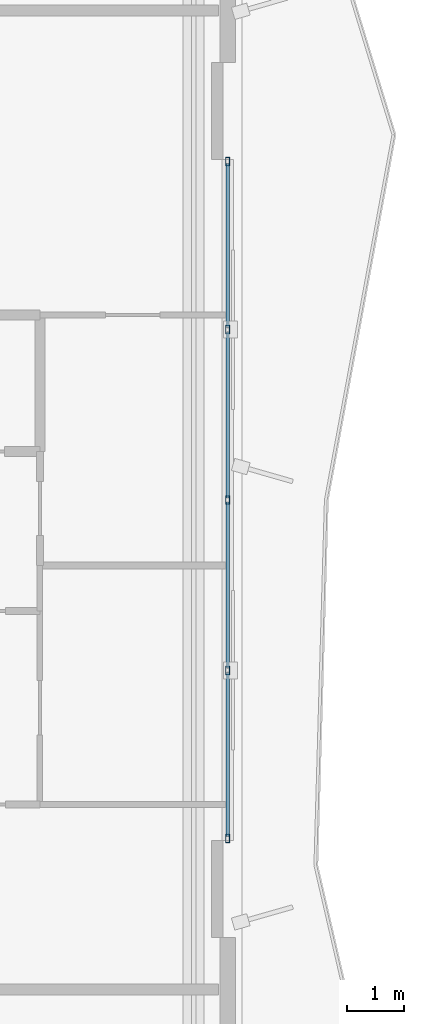
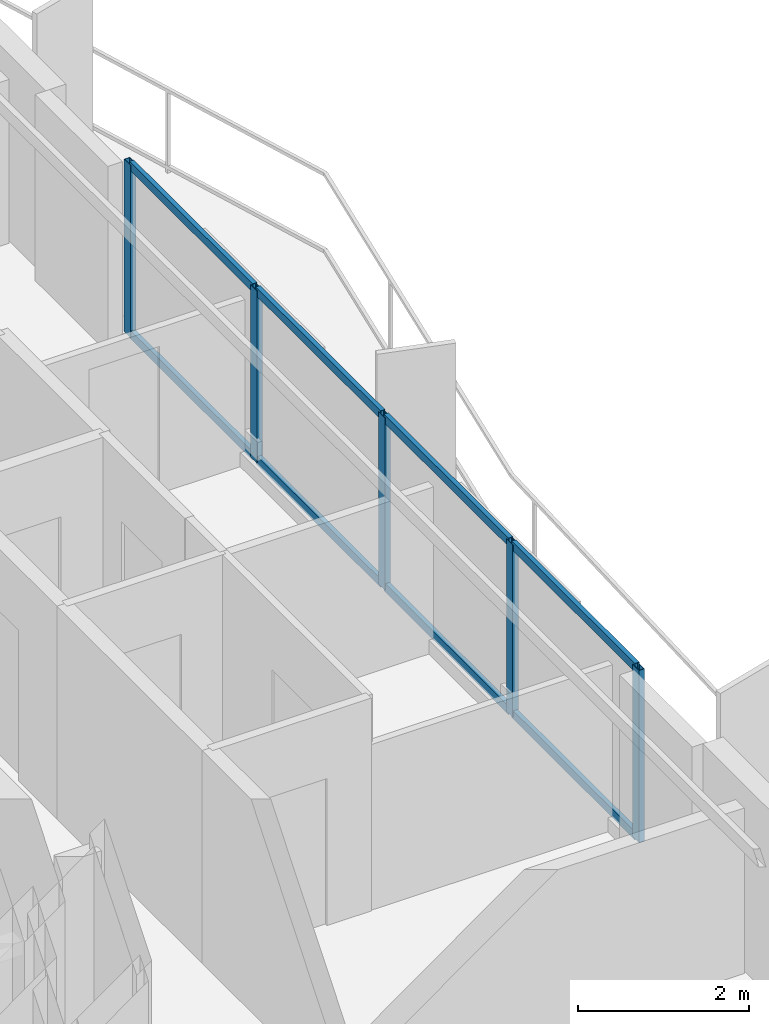
# One storey, part 6 of 18: 13 members, 1 element without a shape of its own.
"""IFC4 building model written with IfcOpenShell, lengths in metres."""

from ifc_helpers import new_model, si_unit, direction, frame, origin, origin_2d, place, context, subcontext, project, spatial, hollow_rectangle, extrude, material, layer, layer_set, material_profile, profile_set, type_object, element, aggregate, save


model = new_model("IFC4")

# Units and contexts
model_context = context("Model", 3, precision=1e-05, world=origin(), true_north=direction((0.0, 1.0)))
body_context = subcontext(model_context, "Body", "Model", "MODEL_VIEW")
ifc_project = project(units=[si_unit("LENGTHUNIT", "METRE"), si_unit("AREAUNIT", "SQUARE_METRE"), si_unit("VOLUMEUNIT", "CUBIC_METRE"), si_unit("PLANEANGLEUNIT", "RADIAN"), si_unit("MASSUNIT", "GRAM", prefix="KILO")], contexts=[model_context])

# Site, building, storey
site_placement = place(None, origin())
site = spatial("IfcSite", under=ifc_project, at=site_placement, CompositionType="ELEMENT")
building_placement = place(site_placement, origin())
building = spatial("IfcBuilding", under=site, at=building_placement, Name="Mersakhor Tower and Convention Hall", CompositionType="ELEMENT")
storey_placement = place(building_placement, frame((0.0, 0.0, 32.39990234375)))
storey = spatial("IfcBuildingStorey", under=building, at=storey_placement, Name="L08", CompositionType="ELEMENT", Elevation=32.39990234375)

# Curtain wall, members
ifc_material_1 = material(Name="Dark solar low-E aluminium curtain wall", Category="aluminium")
ifc_layer = layer(ifc_material_1, 0.159912109375)
ifc_layer_set = layer_set([ifc_layer], Name="Dark solar low-E aluminium curtain wall")
curtain_wall_type = type_object("IfcCurtainWallType", Name="CW-SYS-01", PredefinedType="USERDEFINED", material=ifc_layer_set)
curtain_wall_placement = place(storey_placement, origin())
curtain_wall = element("IfcCurtainWall", 1, at=curtain_wall_placement, inside=storey, type_object=curtain_wall_type, Name="L08 Dark-Glass Curtain Wall F2-B2", ObjectType="CURTAIN WALL", PredefinedType="USERDEFINED")
ifc_material_2 = material(Name="Anodised aluminium EN AW-6063 T6", Category="aluminium")
ifc_material_profile_1 = material_profile(ifc_material_2, hollow_rectangle(XDim=0.074951171875, YDim=0.14990234375, WallThickness=0.00634765625, at=origin_2d()), Name="RHS 150x75x6.3")
ifc_profile_set_1 = profile_set([ifc_material_profile_1], Name="Anodised aluminium EN AW-6063 T6")
member_type_1 = type_object("IfcMemberType", Name="CWM-150x75", PredefinedType="MULLION", material=ifc_profile_set_1)
member_1_placement = place(storey_placement, frame((43.85009765625, 32.69921875, 0.2001953125), z_axis=(0.0, 0.0, 1.0), x_axis=(1.0, 0.0, 0.0)))
member_1 = element("IfcMember", 2, at=member_1_placement, type_object=member_type_1, Name="CW-01 mullion 1", PredefinedType="MULLION", context=body_context, shape_type="SweptSolid", body=[
    extrude(hollow_rectangle(XDim=0.074951171875, YDim=0.14990234375, WallThickness=0.00634765625, at=origin_2d()), origin(), (0.0, 0.0, 1.0), 2.4599609375),
])
member_2_placement = place(storey_placement, frame((43.85009765625, 29.743408203125, 0.2001953125), z_axis=(0.0, 0.0, 1.0), x_axis=(1.0, 0.0, 0.0)))
member_2 = element("IfcMember", 3, at=member_2_placement, type_object=member_type_1, Name="CW-01 mullion 2", PredefinedType="MULLION", context=body_context, shape_type="SweptSolid", body=[
    extrude(hollow_rectangle(XDim=0.074951171875, YDim=0.14990234375, WallThickness=0.00634765625, at=origin_2d()), origin(), (0.0, 0.0, 1.0), 2.4599609375),
])
member_3_placement = place(storey_placement, frame((43.85009765625, 26.75, 0.2001953125), z_axis=(0.0, 0.0, 1.0), x_axis=(1.0, 0.0, 0.0)))
member_3 = element("IfcMember", 4, at=member_3_placement, type_object=member_type_1, Name="CW-01 mullion 3", PredefinedType="MULLION", context=body_context, shape_type="SweptSolid", body=[
    extrude(hollow_rectangle(XDim=0.074951171875, YDim=0.14990234375, WallThickness=0.00634765625, at=origin_2d()), origin(), (0.0, 0.0, 1.0), 2.4599609375),
])
member_4_placement = place(storey_placement, frame((43.85009765625, 23.756591796875, 0.2001953125), z_axis=(0.0, 0.0, 1.0), x_axis=(1.0, 0.0, 0.0)))
member_4 = element("IfcMember", 5, at=member_4_placement, type_object=member_type_1, Name="CW-01 mullion 4", PredefinedType="MULLION", context=body_context, shape_type="SweptSolid", body=[
    extrude(hollow_rectangle(XDim=0.074951171875, YDim=0.14990234375, WallThickness=0.00634765625, at=origin_2d()), origin(), (0.0, 0.0, 1.0), 2.4599609375),
])
member_5_placement = place(storey_placement, frame((43.85009765625, 20.80078125, 0.2001953125), z_axis=(0.0, 0.0, 1.0), x_axis=(1.0, 0.0, 0.0)))
member_5 = element("IfcMember", 6, at=member_5_placement, type_object=member_type_1, Name="CW-01 mullion 5", PredefinedType="MULLION", context=body_context, shape_type="SweptSolid", body=[
    extrude(hollow_rectangle(XDim=0.074951171875, YDim=0.14990234375, WallThickness=0.00634765625, at=origin_2d()), origin(), (0.0, 0.0, 1.0), 2.4599609375),
])
ifc_material_3 = material(Name="Anodised aluminium EN AW-6063 T6", Category="aluminium")
ifc_material_profile_2 = material_profile(ifc_material_3, hollow_rectangle(XDim=0.06005859375, YDim=0.1201171875, WallThickness=0.0048828125, at=origin_2d()), Name="RHS 120x60x5")
ifc_profile_set_2 = profile_set([ifc_material_profile_2], Name="Anodised aluminium EN AW-6063 T6")
member_type_2 = type_object("IfcMemberType", Name="CWT-120x60", PredefinedType="USERDEFINED", material=ifc_profile_set_2)
member_6_placement = place(storey_placement, frame((43.85009765625, 32.66162109375, 0.22998046875), z_axis=(0.0, -1.0, 0.0), x_axis=(1.0, 0.0, 0.0)))
member_6 = element("IfcMember", 7, at=member_6_placement, type_object=member_type_2, Name="CW-01 transom 1.1", ObjectType="TRANSOM", PredefinedType="USERDEFINED", context=body_context, shape_type="SweptSolid", body=[
    extrude(hollow_rectangle(XDim=0.06005859375, YDim=0.1201171875, WallThickness=0.0048828125, at=origin_2d()), origin(), (0.0, 0.0, 1.0), 2.880859375),
])
member_7_placement = place(storey_placement, frame((43.85009765625, 32.66162109375, 2.630126953125), z_axis=(0.0, -1.0, 0.0), x_axis=(1.0, 0.0, 0.0)))
member_7 = element("IfcMember", 8, at=member_7_placement, type_object=member_type_2, Name="CW-01 transom 1.2", ObjectType="TRANSOM", PredefinedType="USERDEFINED", context=body_context, shape_type="SweptSolid", body=[
    extrude(hollow_rectangle(XDim=0.06005859375, YDim=0.1201171875, WallThickness=0.0048828125, at=origin_2d()), origin(), (0.0, 0.0, 1.0), 2.880859375),
])
member_8_placement = place(storey_placement, frame((43.85009765625, 29.705810546875, 0.22998046875), z_axis=(0.0, -1.0, 0.0), x_axis=(1.0, 0.0, 0.0)))
member_8 = element("IfcMember", 9, at=member_8_placement, type_object=member_type_2, Name="CW-01 transom 2.1", ObjectType="TRANSOM", PredefinedType="USERDEFINED", context=body_context, shape_type="SweptSolid", body=[
    extrude(hollow_rectangle(XDim=0.06005859375, YDim=0.1201171875, WallThickness=0.0048828125, at=origin_2d()), origin(), (0.0, 0.0, 1.0), 2.918212890625),
])
member_9_placement = place(storey_placement, frame((43.85009765625, 29.705810546875, 2.630126953125), z_axis=(0.0, -1.0, 0.0), x_axis=(1.0, 0.0, 0.0)))
member_9 = element("IfcMember", 10, at=member_9_placement, type_object=member_type_2, Name="CW-01 transom 2.2", ObjectType="TRANSOM", PredefinedType="USERDEFINED", context=body_context, shape_type="SweptSolid", body=[
    extrude(hollow_rectangle(XDim=0.06005859375, YDim=0.1201171875, WallThickness=0.0048828125, at=origin_2d()), origin(), (0.0, 0.0, 1.0), 2.918212890625),
])
member_10_placement = place(storey_placement, frame((43.85009765625, 26.71240234375, 0.22998046875), z_axis=(0.0, -1.0, 0.0), x_axis=(1.0, 0.0, 0.0)))
member_10 = element("IfcMember", 11, at=member_10_placement, type_object=member_type_2, Name="CW-01 transom 3.1", ObjectType="TRANSOM", PredefinedType="USERDEFINED", context=body_context, shape_type="SweptSolid", body=[
    extrude(hollow_rectangle(XDim=0.06005859375, YDim=0.1201171875, WallThickness=0.0048828125, at=origin_2d()), origin(), (0.0, 0.0, 1.0), 2.918212890625),
])
member_11_placement = place(storey_placement, frame((43.85009765625, 26.71240234375, 2.630126953125), z_axis=(0.0, -1.0, 0.0), x_axis=(1.0, 0.0, 0.0)))
member_11 = element("IfcMember", 12, at=member_11_placement, type_object=member_type_2, Name="CW-01 transom 3.2", ObjectType="TRANSOM", PredefinedType="USERDEFINED", context=body_context, shape_type="SweptSolid", body=[
    extrude(hollow_rectangle(XDim=0.06005859375, YDim=0.1201171875, WallThickness=0.0048828125, at=origin_2d()), origin(), (0.0, 0.0, 1.0), 2.918212890625),
])
member_12_placement = place(storey_placement, frame((43.85009765625, 23.71923828125, 0.22998046875), z_axis=(0.0, -1.0, 0.0), x_axis=(1.0, 0.0, 0.0)))
member_12 = element("IfcMember", 13, at=member_12_placement, type_object=member_type_2, Name="CW-01 transom 4.1", ObjectType="TRANSOM", PredefinedType="USERDEFINED", context=body_context, shape_type="SweptSolid", body=[
    extrude(hollow_rectangle(XDim=0.06005859375, YDim=0.1201171875, WallThickness=0.0048828125, at=origin_2d()), origin(), (0.0, 0.0, 1.0), 2.880859375),
])
member_13_placement = place(storey_placement, frame((43.85009765625, 23.71923828125, 2.630126953125), z_axis=(0.0, -1.0, 0.0), x_axis=(1.0, 0.0, 0.0)))
member_13 = element("IfcMember", 14, at=member_13_placement, type_object=member_type_2, Name="CW-01 transom 4.2", ObjectType="TRANSOM", PredefinedType="USERDEFINED", context=body_context, shape_type="SweptSolid", body=[
    extrude(hollow_rectangle(XDim=0.06005859375, YDim=0.1201171875, WallThickness=0.0048828125, at=origin_2d()), origin(), (0.0, 0.0, 1.0), 2.880859375),
])
aggregate(curtain_wall, [member_1, member_2, member_3, member_4, member_5, member_6, member_7, member_8, member_9, member_10, member_11, member_12, member_13])

save(model, "model.ifc")
